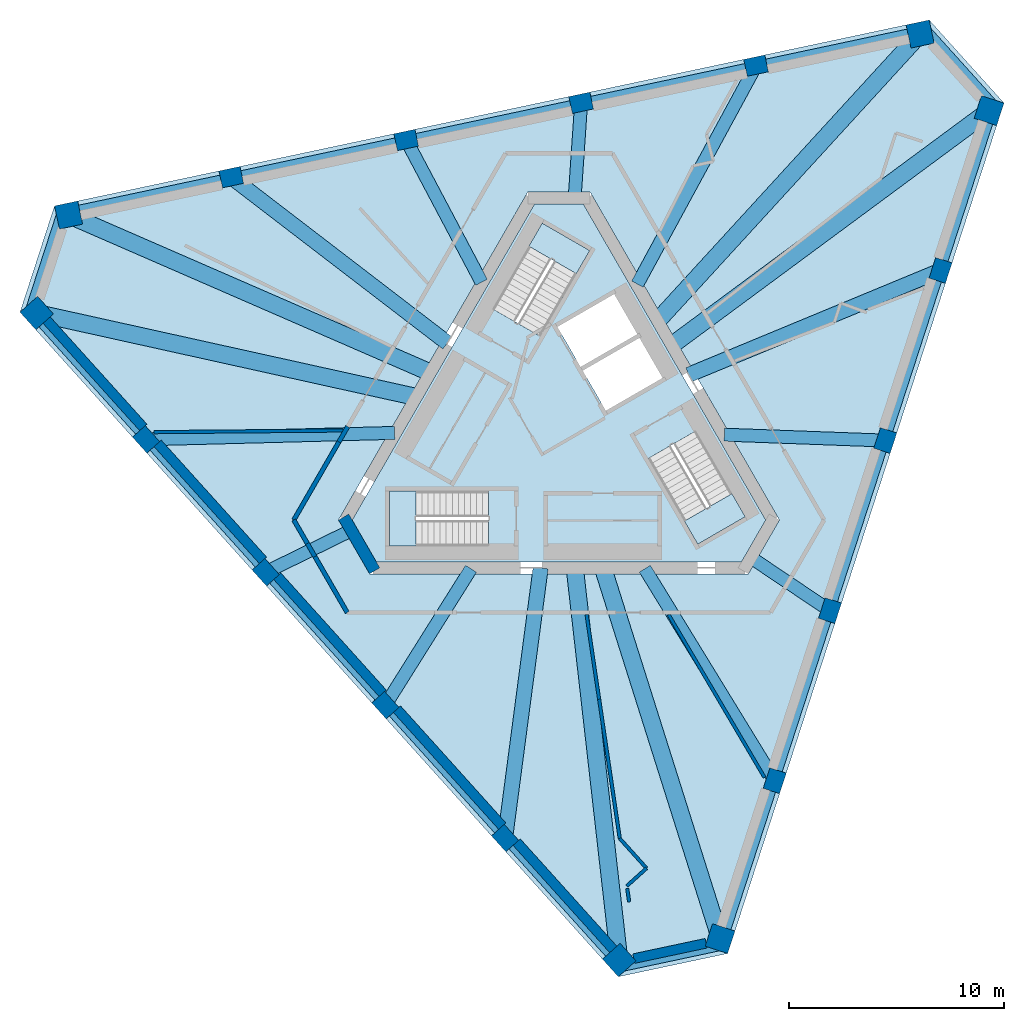
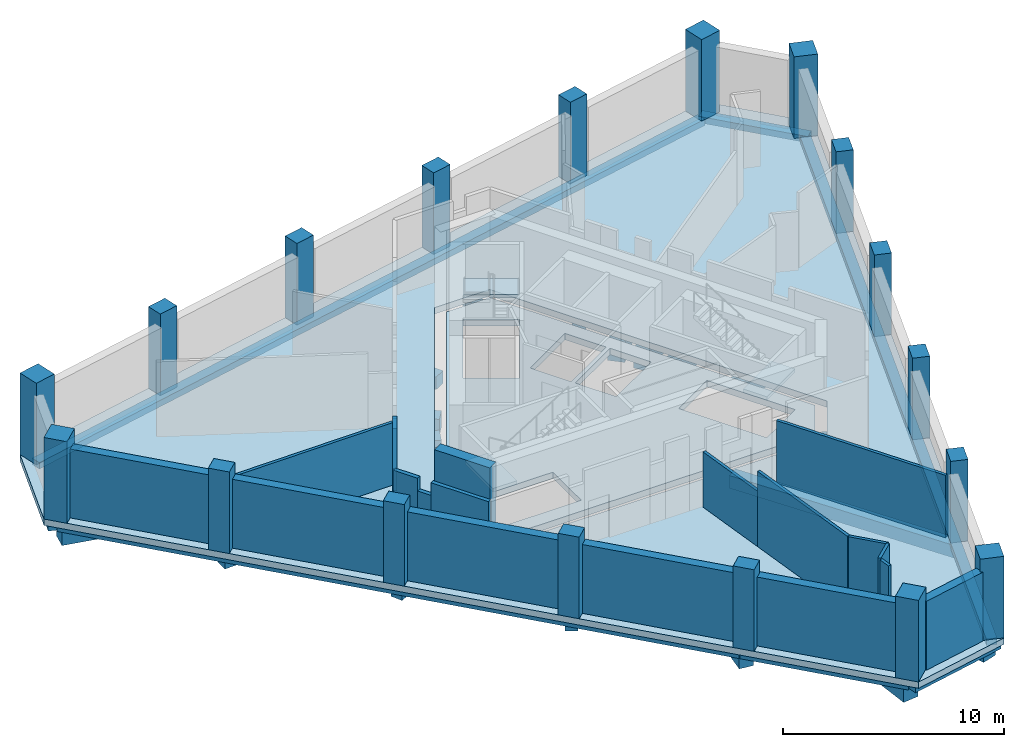
# One storey, part 1 of 5: 24 beams, 19 walls, 18 columns, 5 slabs, 3 elements without a shape of their own.
"""IFC4 building model written with IfcOpenShell, lengths in metres."""

from ifc_helpers import new_model, si_unit, direction, frame, frame_2d, origin, origin_2d, place, context, subcontext, project, spatial, polyline, rectangle, outline, extrude, material, layer, layer_set, material_profile, profile_set, type_object, element, aggregate, save


model = new_model("IFC4")

# Units and contexts
model_context = context("Model", 3, precision=1e-05, world=origin(), true_north=direction((0.0, 1.0)))
body_context = subcontext(model_context, "Body", "Model", "MODEL_VIEW")
ifc_project = project(units=[si_unit("LENGTHUNIT", "METRE"), si_unit("AREAUNIT", "SQUARE_METRE"), si_unit("VOLUMEUNIT", "CUBIC_METRE"), si_unit("PLANEANGLEUNIT", "RADIAN"), si_unit("MASSUNIT", "GRAM", prefix="KILO")], contexts=[model_context])

# Site, building, storey
site_placement = place(None, origin())
site = spatial("IfcSite", under=ifc_project, at=site_placement, CompositionType="ELEMENT")
building_placement = place(site_placement, origin())
building = spatial("IfcBuilding", under=site, at=building_placement, Name="Tramontana Tower", CompositionType="ELEMENT")
storey_placement = place(building_placement, frame((0.0, 0.0, 356.89990234375)))
storey = spatial("IfcBuildingStorey", under=building, at=storey_placement, Name="L82", CompositionType="ELEMENT", Elevation=356.89990234375)

# Columns
ifc_material_1 = material(Name="Concrete 55 MPa", Category="concrete")
ifc_material_profile_1 = material_profile(ifc_material_1, rectangle(XDim=1.10009765625, YDim=1.10009765625, at=origin_2d()), Name="Mega column 1100X1100 55 MPa")
ifc_profile_set_1 = profile_set([ifc_material_profile_1], Name="Concrete 55 MPa")
column_type_1 = type_object("IfcColumnType", Name="Mega column 1100X1100 55 MPa", PredefinedType="COLUMN", material=ifc_profile_set_1)
for number, where, z_axis, x_axis, name in (
    (1, (-24.278076171875, 5.368408203125, 0.0), (0.0, 0.0, 1.0), (0.669130606359, -0.743144825477, 0.0), "Mega column C8K1 L82"),
    (2, (2.80126953125, -24.706298828125, 0.0), (0.0, 0.0, 1.0), (0.669130606359, -0.743144825477, 0.0), "Mega column C8K2 L82"),
    (3, (7.489990234375, -23.70947265625, 0.0), (0.0, 0.0, 1.0), (0.309016994375, 0.951056516295, 0.0), "Mega column C8K3 L82"),
    (4, (19.99560546875, 14.779052734375, 0.0), (0.0, 0.0, 1.0), (0.309016994375, 0.951056516295, 0.0), "Mega column C8K4 L82"),
    (5, (16.7880859375, 18.34130859375, 0.0), (0.0, 0.0, 1.0), (-0.978147600734, -0.207911690818, 0.0), "Mega column C8K5 L82"),
    (6, (-22.796875, 9.92724609375, 0.0), (0.0, 0.0, 1.0), (-0.978147600734, -0.207911690818, 0.0), "Mega column C8K6 L82"),
):
    element("IfcColumn", number, at=place(storey_placement, frame(where, z_axis=z_axis, x_axis=x_axis)), inside=storey, type_object=column_type_1, Name=name, PredefinedType="COLUMN", context=body_context, shape_type="SweptSolid", body=[
        extrude(rectangle(XDim=1.10009765625, YDim=1.10009765625, at=origin_2d()), origin(), (0.0, 0.0, 1.0), 4.5),
    ])
ifc_material_2 = material(Name="Concrete 55 MPa", Category="concrete")
ifc_material_profile_2 = material_profile(ifc_material_2, rectangle(XDim=1.0, YDim=0.800048828125, at=origin_2d()), Name="Pier column 1000X800 55 MPa")
ifc_profile_set_2 = profile_set([ifc_material_profile_2], Name="Concrete 55 MPa")
column_type_2 = type_object("IfcColumnType", Name="Pier column 1000X800 55 MPa", PredefinedType="COLUMN", material=ifc_profile_set_2)
for number, where, z_axis, x_axis, name in (
    (7, (-19.194580078125, -0.501708984375, 0.0), (0.0, 0.0, 1.0), (0.669130606359, -0.743144825477, 0.0), "Pier column C8F01 L82"),
    (8, (-13.63134765625, -6.68017578125, 0.0), (0.0, 0.0, 1.0), (0.669130606359, -0.743144825477, 0.0), "Pier column C8F02 L82"),
    (9, (-8.068359375, -12.8583984375, 0.0), (0.0, 0.0, 1.0), (0.669130606359, -0.743144825477, 0.0), "Pier column C8F03 L82"),
    (10, (-2.50537109375, -19.036865234375, 0.0), (0.0, 0.0, 1.0), (0.669130606359, -0.743144825477, 0.0), "Pier column C8F04 L82"),
    (11, (10.03173828125, -16.3720703125, 0.0), (0.0, 0.0, 1.0), (0.309016994375, 0.951056516295, 0.0), "Pier column C8F05 L82"),
    (12, (12.600830078125, -8.465087890625, 0.0), (0.0, 0.0, 1.0), (0.309016994375, 0.951056516295, 0.0), "Pier column C8F06 L82"),
    (13, (15.169921875, -0.55810546875, 0.0), (0.0, 0.0, 1.0), (0.309016994375, 0.951056516295, 0.0), "Pier column C8F07 L82"),
    (14, (17.739013671875, 7.348876953125, 0.0), (0.0, 0.0, 1.0), (0.309016994375, 0.951056516295, 0.0), "Pier column C8F08 L82"),
    (15, (9.162841796875, 16.873779296875, 0.0), (0.0, 0.0, 1.0), (-0.978147600734, -0.207911690818, 0.0), "Pier column C8F09 L82"),
    (16, (1.030517578125, 15.145263671875, 0.0), (0.0, 0.0, 1.0), (-0.978147600734, -0.207911690818, 0.0), "Pier column C8F10 L82"),
    (17, (-7.1015625, 13.416748046875, 0.0), (0.0, 0.0, 1.0), (-0.978147600734, -0.207911690818, 0.0), "Pier column C8F11 L82"),
    (18, (-15.233642578125, 11.688232421875, 0.0), (0.0, 0.0, 1.0), (-0.978147600734, -0.207911690818, 0.0), "Pier column C8F12 L82"),
):
    element("IfcColumn", number, at=place(storey_placement, frame(where, z_axis=z_axis, x_axis=x_axis)), inside=storey, type_object=column_type_2, Name=name, PredefinedType="COLUMN", context=body_context, shape_type="SweptSolid", body=[
        extrude(rectangle(XDim=1.0, YDim=0.800048828125, at=origin_2d()), origin(), (0.0, 0.0, 1.0), 4.5),
    ])

# Beams
ifc_material_3 = material(Name="Concrete 40 MPa", Category="concrete")
ifc_material_profile_3 = material_profile(ifc_material_3, rectangle(XDim=0.5, YDim=0.35009765625, at=origin_2d()), Name="RC EDGE BEAM 500X350 40 MPa")
ifc_profile_set_3 = profile_set([ifc_material_profile_3], Name="Concrete 40 MPa")
beam_type_1 = type_object("IfcBeamType", Name="RC EDGE BEAM 500X350 40 MPa", PredefinedType="SPANDREL", material=ifc_profile_set_3)
for number, where, z_axis, x_axis, name in (
    (19, (-24.352294921875, 5.301513671875, -0.52490234375), (0.669126699639, -0.743148343086, 0.0), (0.743148343086, 0.669126699639, 0.0), "Spandrel beam S0 L82"),
    (20, (7.5849609375, -23.740478515625, -0.52490234375), (0.309021003975, 0.951055213488, 0.0), (-0.951055213488, 0.309021003975, 0.0), "Spandrel beam S1 L82"),
):
    element("IfcBeam", number, at=place(storey_placement, frame(where, z_axis=z_axis, x_axis=x_axis)), inside=storey, type_object=beam_type_1, Name=name, PredefinedType="SPANDREL", context=body_context, shape_type="SweptSolid", body=[
        extrude(rectangle(XDim=0.5, YDim=0.35009765625, at=origin_2d()), origin(), (0.0, 0.0, 1.0), 40.46923828125),
    ])
beam_1_placement = place(storey_placement, frame((16.767333984375, 18.439208984375, -0.52490234375), z_axis=(-0.978146276815, -0.20791791927, 0.0), x_axis=(0.20791791927, -0.978146276815, 0.0)))
element("IfcBeam", 21, at=beam_1_placement, inside=storey, type_object=beam_type_1, Name="Spandrel beam S2 L82", PredefinedType="SPANDREL", context=body_context, shape_type="SweptSolid", body=[
    extrude(rectangle(XDim=0.5, YDim=0.35009765625, at=origin_2d()), origin(), (0.0, 0.0, 1.0), 40.469482421875),
])
beam_2_placement = place(storey_placement, frame((-23.02099609375, 10.2119140625, -0.52490234375), z_axis=(-0.309015953557, -0.951056854477, 0.0), x_axis=(0.951056854477, -0.309015953557, 0.0)))
element("IfcBeam", 22, at=beam_2_placement, inside=storey, type_object=beam_type_1, Name="Spandrel beam K0 L82", PredefinedType="SPANDREL", context=body_context, shape_type="SweptSolid", body=[
    extrude(rectangle(XDim=0.5, YDim=0.35009765625, at=origin_2d()), origin(), (0.0, 0.0, 1.0), 5.1962890625),
])
for number, where, z_axis, x_axis, name in (
    (23, (2.6669921875, -25.042724609375, -0.52490234375), (0.97814762463, 0.207911578393, 0.0), (-0.207911578393, 0.97814762463, 0.0), "Spandrel beam K1 L82"),
    (24, (20.354248046875, 14.8310546875, -0.52490234375), (-0.66916199362, 0.74311656306, 0.0), (-0.74311656306, -0.66916199362, 0.0), "Spandrel beam K2 L82"),
):
    element("IfcBeam", number, at=place(storey_placement, frame(where, z_axis=z_axis, x_axis=x_axis)), inside=storey, type_object=beam_type_1, Name=name, PredefinedType="SPANDREL", context=body_context, shape_type="SweptSolid", body=[
        extrude(rectangle(XDim=0.5, YDim=0.35009765625, at=origin_2d()), origin(), (0.0, 0.0, 1.0), 5.196044921875),
    ])
ifc_material_4 = material(Name="Concrete 40 MPa", Category="concrete")
ifc_material_profile_4 = material_profile(ifc_material_4, rectangle(XDim=0.60009765625, YDim=0.699951171875, at=origin_2d()), Name="RC GIRDER 600X700 40 MPa")
ifc_profile_set_4 = profile_set([ifc_material_profile_4], Name="Concrete 40 MPa")
beam_type_2 = type_object("IfcBeamType", Name="RC GIRDER 600X700 40 MPa", PredefinedType="BEAM", material=ifc_profile_set_4)
beam_3_placement = place(storey_placement, frame((-19.194580078125, -0.501708984375, -0.699951171875), z_axis=(0.999658682192, 0.026125066864, 0.0), x_axis=(-0.026125066864, 0.999658682192, 0.0)))
element("IfcBeam", 25, at=beam_3_placement, inside=storey, type_object=beam_type_2, Name="Radial girder C8F01 L82", PredefinedType="BEAM", context=body_context, shape_type="SweptSolid", body=[
    extrude(rectangle(XDim=0.60009765625, YDim=0.699951171875, at=origin_2d()), origin(), (0.0, 0.0, 1.0), 11.559814453125),
])
beam_4_placement = place(storey_placement, frame((-13.63134765625, -6.68017578125, -0.699951171875), z_axis=(0.897959158445, 0.440078799496, 0.0), x_axis=(-0.440078799496, 0.897959158445, 0.0)))
element("IfcBeam", 26, at=beam_4_placement, inside=storey, type_object=beam_type_2, Name="Radial girder C8F02 L82", PredefinedType="BEAM", context=body_context, shape_type="SweptSolid", body=[
    extrude(rectangle(XDim=0.60009765625, YDim=0.699951171875, at=origin_2d()), origin(), (0.0, 0.0, 1.0), 4.4296875),
])
beam_5_placement = place(storey_placement, frame((-8.068359375, -12.8583984375, -0.699951171875), z_axis=(0.531504835363, 0.847055257929, 0.0), x_axis=(-0.847055257929, 0.531504835363, 0.0)))
element("IfcBeam", 27, at=beam_5_placement, inside=storey, type_object=beam_type_2, Name="Radial girder C8F03 L82", PredefinedType="BEAM", context=body_context, shape_type="SweptSolid", body=[
    extrude(rectangle(XDim=0.60009765625, YDim=0.699951171875, at=origin_2d()), origin(), (0.0, 0.0, 1.0), 7.486328125),
])
beam_6_placement = place(storey_placement, frame((10.03173828125, -16.3720703125, -0.699951171875), z_axis=(-0.522458548495, 0.852664685034, 0.0), x_axis=(-0.852664685034, -0.522458548495, 0.0)))
element("IfcBeam", 28, at=beam_6_placement, inside=storey, type_object=beam_type_2, Name="Radial girder C8F05 L82", PredefinedType="BEAM", context=body_context, shape_type="SweptSolid", body=[
    extrude(rectangle(XDim=0.60009765625, YDim=0.699951171875, at=origin_2d()), origin(), (0.0, 0.0, 1.0), 11.559814453125),
])
beam_7_placement = place(storey_placement, frame((12.600830078125, -8.465087890625, -0.699951171875), z_axis=(-0.830077902204, 0.557647448011, 0.0), x_axis=(-0.557647448011, -0.830077902204, 0.0)))
element("IfcBeam", 29, at=beam_7_placement, inside=storey, type_object=beam_type_2, Name="Radial girder C8F06 L82", PredefinedType="BEAM", context=body_context, shape_type="SweptSolid", body=[
    extrude(rectangle(XDim=0.60009765625, YDim=0.699951171875, at=origin_2d()), origin(), (0.0, 0.0, 1.0), 4.4296875),
])
beam_8_placement = place(storey_placement, frame((15.169921875, -0.55810546875, -0.699951171875), z_axis=(-0.999324360611, 0.036753534393, 0.0), x_axis=(-0.036753534393, -0.999324360611, 0.0)))
element("IfcBeam", 30, at=beam_8_placement, inside=storey, type_object=beam_type_2, Name="Radial girder C8F07 L82", PredefinedType="BEAM", context=body_context, shape_type="SweptSolid", body=[
    extrude(rectangle(XDim=0.60009765625, YDim=0.699951171875, at=origin_2d()), origin(), (0.0, 0.0, 1.0), 7.486328125),
])
beam_9_placement = place(storey_placement, frame((9.16259765625, 16.873779296875, -0.699951171875), z_axis=(-0.477185075818, -0.87880282397, 0.0), x_axis=(0.87880282397, -0.477185075818, 0.0)))
element("IfcBeam", 31, at=beam_9_placement, inside=storey, type_object=beam_type_2, Name="Radial girder C8F09 L82", PredefinedType="BEAM", context=body_context, shape_type="SweptSolid", body=[
    extrude(rectangle(XDim=0.60009765625, YDim=0.699951171875, at=origin_2d()), origin(), (0.0, 0.0, 1.0), 11.559814453125),
])
beam_10_placement = place(storey_placement, frame((1.030517578125, 15.145263671875, -0.699951171875), z_axis=(-0.067897965918, -0.997692270304, 0.0), x_axis=(0.997692270304, -0.067897965918, 0.0)))
element("IfcBeam", 32, at=beam_10_placement, inside=storey, type_object=beam_type_2, Name="Radial girder C8F10 L82", PredefinedType="BEAM", context=body_context, shape_type="SweptSolid", body=[
    extrude(rectangle(XDim=0.60009765625, YDim=0.699951171875, at=origin_2d()), origin(), (0.0, 0.0, 1.0), 4.429931640625),
])
beam_11_placement = place(storey_placement, frame((-7.1015625, 13.416748046875, -0.699951171875), z_axis=(0.467808305742, -0.883829954843, 0.0), x_axis=(0.883829954843, 0.467808305742, 0.0)))
element("IfcBeam", 33, at=beam_11_placement, inside=storey, type_object=beam_type_2, Name="Radial girder C8F11 L82", PredefinedType="BEAM", context=body_context, shape_type="SweptSolid", body=[
    extrude(rectangle(XDim=0.60009765625, YDim=0.699951171875, at=origin_2d()), origin(), (0.0, 0.0, 1.0), 7.486328125),
])
ifc_material_5 = material(Name="Concrete 40 MPa", Category="concrete")
ifc_material_profile_5 = material_profile(ifc_material_5, rectangle(XDim=0.699951171875, YDim=0.89990234375, at=origin_2d()), Name="RC GIRDER 700X900 40 MPa")
ifc_profile_set_5 = profile_set([ifc_material_profile_5], Name="Concrete 40 MPa")
beam_type_3 = type_object("IfcBeamType", Name="RC GIRDER 700X900 40 MPa", PredefinedType="BEAM", material=ifc_profile_set_5)
beam_12_placement = place(storey_placement, frame((-2.50537109375, -19.036865234375, -0.7998046875), z_axis=(0.130493398369, 0.991449178214, 0.0), x_axis=(-0.991449178214, 0.130493398369, 0.0)))
element("IfcBeam", 34, at=beam_12_placement, inside=storey, type_object=beam_type_3, Name="Radial girder C8F04 L82", PredefinedType="BEAM", context=body_context, shape_type="SweptSolid", body=[
    extrude(rectangle(XDim=0.699951171875, YDim=0.89990234375, at=origin_2d()), origin(), (0.0, 0.0, 1.0), 12.66796875),
])
beam_13_placement = place(storey_placement, frame((17.739013671875, 7.348876953125, -0.7998046875), z_axis=(-0.923857326556, -0.382737037885, 0.0), x_axis=(0.382737037885, -0.923857326556, 0.0)))
element("IfcBeam", 35, at=beam_13_placement, inside=storey, type_object=beam_type_3, Name="Radial girder C8F08 L82", PredefinedType="BEAM", context=body_context, shape_type="SweptSolid", body=[
    extrude(rectangle(XDim=0.699951171875, YDim=0.89990234375, at=origin_2d()), origin(), (0.0, 0.0, 1.0), 12.667724609375),
])
beam_14_placement = place(storey_placement, frame((-15.23388671875, 11.68798828125, -0.7998046875), z_axis=(0.793386383047, -0.608718364431, 0.0), x_axis=(0.608718364431, 0.793386383047, 0.0)))
element("IfcBeam", 36, at=beam_14_placement, inside=storey, type_object=beam_type_3, Name="Radial girder C8F12 L82", PredefinedType="BEAM", context=body_context, shape_type="SweptSolid", body=[
    extrude(rectangle(XDim=0.699951171875, YDim=0.89990234375, at=origin_2d()), origin(), (0.0, 0.0, 1.0), 12.66796875),
])
ifc_material_6 = material(Name="Concrete 40 MPa", Category="concrete")
ifc_material_profile_6 = material_profile(ifc_material_6, rectangle(XDim=0.800048828125, YDim=1.10009765625, at=origin_2d()), Name="RC GIRDER 800X1100 40 MPa")
ifc_profile_set_6 = profile_set([ifc_material_profile_6], Name="Concrete 40 MPa")
beam_type_4 = type_object("IfcBeamType", Name="RC GIRDER 800X1100 40 MPa", PredefinedType="BEAM", material=ifc_profile_set_6)
beam_15_placement = place(storey_placement, frame((-24.278076171875, 5.368408203125, -0.89990234375), z_axis=(0.976414256624, -0.215905533653, 0.0), x_axis=(0.215905533653, 0.976414256624, 0.0)))
element("IfcBeam", 37, at=beam_15_placement, inside=storey, type_object=beam_type_4, Name="Radial girder C8K1 L82", PredefinedType="BEAM", context=body_context, shape_type="SweptSolid", body=[
    extrude(rectangle(XDim=0.800048828125, YDim=1.10009765625, at=origin_2d()), origin(), (0.0, 0.0, 1.0), 18.060791015625),
])
beam_16_placement = place(storey_placement, frame((2.80126953125, -24.706298828125, -0.89990234375), z_axis=(-0.112660068087, 0.993633588934, 0.0), x_axis=(-0.993633588934, -0.112660068087, 0.0)))
element("IfcBeam", 38, at=beam_16_placement, inside=storey, type_object=beam_type_4, Name="Radial girder C8K2 L82", PredefinedType="BEAM", context=body_context, shape_type="SweptSolid", body=[
    extrude(rectangle(XDim=0.800048828125, YDim=1.10009765625, at=origin_2d()), origin(), (0.0, 0.0, 1.0), 18.34619140625),
])
beam_17_placement = place(storey_placement, frame((7.489990234375, -23.709716796875, -0.89990234375), z_axis=(-0.301228407795, 0.953552015538, 0.0), x_axis=(-0.953552015538, -0.301228407795, 0.0)))
element("IfcBeam", 39, at=beam_17_placement, inside=storey, type_object=beam_type_4, Name="Radial girder C8K3 L82", PredefinedType="BEAM", context=body_context, shape_type="SweptSolid", body=[
    extrude(rectangle(XDim=0.800048828125, YDim=1.10009765625, at=origin_2d()), origin(), (0.0, 0.0, 1.0), 18.060791015625),
])
beam_18_placement = place(storey_placement, frame((19.99560546875, 14.779052734375, -0.89990234375), z_axis=(-0.804178630494, -0.594387693562, 0.0), x_axis=(0.594387693562, -0.804178630494, 0.0)))
element("IfcBeam", 40, at=beam_18_placement, inside=storey, type_object=beam_type_4, Name="Radial girder C8K4 L82", PredefinedType="BEAM", context=body_context, shape_type="SweptSolid", body=[
    extrude(rectangle(XDim=0.800048828125, YDim=1.10009765625, at=origin_2d()), origin(), (0.0, 0.0, 1.0), 18.34619140625),
])
beam_19_placement = place(storey_placement, frame((16.7880859375, 18.34130859375, -0.89990234375), z_axis=(-0.675183941423, -0.737649405371, 0.0), x_axis=(0.737649405371, -0.675183941423, 0.0)))
element("IfcBeam", 41, at=beam_19_placement, inside=storey, type_object=beam_type_4, Name="Radial girder C8K5 L82", PredefinedType="BEAM", context=body_context, shape_type="SweptSolid", body=[
    extrude(rectangle(XDim=0.800048828125, YDim=1.10009765625, at=origin_2d()), origin(), (0.0, 0.0, 1.0), 18.060791015625),
])
beam_20_placement = place(storey_placement, frame((-22.796875, 9.92724609375, -0.89990234375), z_axis=(0.916837391717, -0.399260813441, 0.0), x_axis=(0.399260813441, 0.916837391717, 0.0)))
element("IfcBeam", 42, at=beam_20_placement, inside=storey, type_object=beam_type_4, Name="Radial girder C8K6 L82", PredefinedType="BEAM", context=body_context, shape_type="SweptSolid", body=[
    extrude(rectangle(XDim=0.800048828125, YDim=1.10009765625, at=origin_2d()), origin(), (0.0, 0.0, 1.0), 18.34619140625),
])

# Slabs
ifc_material_7 = material(Name="Concrete 40 MPa", Category="concrete")
ifc_layer_1 = layer(ifc_material_7, 0.35009765625)
ifc_layer_set_1 = layer_set([ifc_layer_1], Name="PT FLAT SLAB 350 40 MPa")
slab_type_1 = type_object("IfcSlabType", Name="PT FLAT SLAB 350 40 MPa", PredefinedType="FLOOR", material=ifc_layer_set_1)
slab_1_placement = place(storey_placement, frame((0.0, 0.0, -0.349853515625)))
element("IfcSlab", 43, at=slab_1_placement, inside=storey, type_object=slab_type_1, Name="Floor slab L82", PredefinedType="FLOOR", context=body_context, shape_type="SweptSolid", body=[
    extrude(outline(polyline([(20.688720703125, 15.132080078125), (7.843017578125, -24.402587890625), (2.760498046875, -25.48291015625), (-25.0546875, 5.408935546875), (-23.44921875, 10.350830078125), (17.211669921875, 18.99365234375), (20.688720703125, 15.132080078125)]), holes=[polyline([(-10.248046875, -4.25), (-8.8046875, -6.75), (8.8046875, -6.75), (10.248046875, -4.25), (1.443359375, 11.0), (-1.443359375, 11.0), (-10.248046875, -4.25)])]), origin(), (0.0, 0.0, 1.0), 0.349853515625),
])
slab_2_placement = place(storey_placement, frame((0.0, 0.0, -0.349853515625)))
element("IfcSlab", 44, at=slab_2_placement, inside=storey, type_object=slab_type_1, Name="Core floor slab L82", PredefinedType="FLOOR", context=body_context, shape_type="SweptSolid", body=[
    extrude(outline(polyline([(9.61279296875, -4.25), (8.487060546875, -6.199951171875), (-8.487060546875, -6.199951171875), (-9.61279296875, -4.25), (-1.125732421875, 10.449951171875), (1.125732421875, 10.449951171875), (9.61279296875, -4.25)]), holes=[polyline([(6.35986328125, -0.115478515625), (4.151611328125, -1.390625), (6.451416015625, -5.374267578125), (8.659912109375, -4.099365234375), (6.35986328125, -0.115478515625)]), polyline([(1.101806640625, 2.69140625), (2.177001953125, 0.82958984375), (4.90478515625, 2.404541015625), (3.829833984375, 4.2666015625), (1.101806640625, 2.69140625)]), polyline([(2.65478515625, 6.3017578125), (-0.072998046875, 4.726806640625), (1.001953125, 2.86474609375), (3.729736328125, 4.439697265625), (2.65478515625, 6.3017578125)]), polyline([(-0.77978515625, 9.54931640625), (-3.079833984375, 5.565673828125), (-0.87158203125, 4.29052734375), (1.428466796875, 8.2744140625), (-0.77978515625, 9.54931640625)]), polyline([(-3.280029296875, -5.449951171875), (-3.280029296875, -2.89990234375), (-7.8798828125, -2.89990234375), (-7.8798828125, -5.449951171875), (-3.280029296875, -5.449951171875)])]), origin(), (0.0, 0.0, 1.0), 0.349853515625),
])

# Stair, slab
ifc_material_8 = material(Name="Concrete 40 MPa", Category="concrete")
stair_type = type_object("IfcStairType", Name="EXIT STAIR 26 RISERS", PredefinedType="HALF_TURN_STAIR", material=ifc_material_8)
stair_1_placement = place(storey_placement, origin())
stair_1 = element("IfcStair", 45, at=stair_1_placement, inside=storey, type_object=stair_type, Name="L82 Exit stair ST1", PredefinedType="HALF_TURN_STAIR")
ifc_material_9 = material(Name="Concrete 40 MPa", Category="concrete")
ifc_layer_2 = layer(ifc_material_9, 0.199951171875)
ifc_layer_set_2 = layer_set([ifc_layer_2], Name="STAIR LANDING 200")
slab_type_2 = type_object("IfcSlabType", Name="STAIR LANDING 200", PredefinedType="LANDING", material=ifc_layer_set_2)
slab_3_placement = place(storey_placement, frame((0.0, 0.0, 2.050048828125)))
slab_3 = element("IfcSlab", 46, at=slab_3_placement, type_object=slab_type_2, Name="ST1 landing 1", PredefinedType="LANDING", context=body_context, shape_type="SweptSolid", body=[
    extrude(outline(polyline([(0.80859375, 7.200439453125), (1.428466796875, 8.274169921875), (-0.77978515625, 9.54931640625), (-1.39990234375, 8.475341796875), (0.80859375, 7.200439453125)])), origin(), (0.0, 0.0, 1.0), 0.199951171875),
])
aggregate(stair_1, [slab_3])

stair_2_placement = place(storey_placement, origin())
stair_2 = element("IfcStair", 47, at=stair_2_placement, inside=storey, type_object=stair_type, Name="L82 Exit stair ST2", PredefinedType="HALF_TURN_STAIR")
slab_4_placement = place(storey_placement, frame((0.0, 0.0, 2.050048828125)))
slab_4 = element("IfcSlab", 48, at=slab_4_placement, type_object=slab_type_2, Name="ST2 landing 1", PredefinedType="LANDING", context=body_context, shape_type="SweptSolid", body=[
    extrude(outline(polyline([(-6.639892578125, -2.89990234375), (-7.8798828125, -2.89990234375), (-7.8798828125, -5.449951171875), (-6.639892578125, -5.449951171875), (-6.639892578125, -2.89990234375)])), origin(), (0.0, 0.0, 1.0), 0.199951171875),
])
aggregate(stair_2, [slab_4])

stair_3_placement = place(storey_placement, origin())
stair_3 = element("IfcStair", 49, at=stair_3_placement, inside=storey, type_object=stair_type, Name="L82 Exit stair ST3", PredefinedType="HALF_TURN_STAIR")
slab_5_placement = place(storey_placement, frame((0.0, 0.0, 2.050048828125)))
slab_5 = element("IfcSlab", 50, at=slab_5_placement, type_object=slab_type_2, Name="ST3 landing 1", PredefinedType="LANDING", context=body_context, shape_type="SweptSolid", body=[
    extrude(outline(polyline([(5.83154296875, -4.30029296875), (6.451416015625, -5.374267578125), (8.659912109375, -4.099365234375), (8.039794921875, -3.025390625), (5.83154296875, -4.30029296875)])), origin(), (0.0, 0.0, 1.0), 0.199951171875),
])
aggregate(stair_3, [slab_5])

# Walls
ifc_material_10 = material(Name="Concrete 70 MPa", Category="concrete")
ifc_layer_3 = layer(ifc_material_10, 0.550048828125)
ifc_layer_set_3 = layer_set([ifc_layer_3], Name="Core wall 550 70 MPa")
wall_type_1 = type_object("IfcWallType", Name="Core wall 550 70 MPa", PredefinedType="SHEAR", material=ifc_layer_set_3)
wall_1_placement = place(storey_placement, frame((-10.009765625, -4.112548828125, 0.0), z_axis=(0.0, 0.0, 1.0), x_axis=(0.499995765644, -0.866027848477, 0.0)))
element("IfcWall", 51, at=wall_1_placement, inside=storey, type_object=wall_type_1, Name="Core wall C2 L82", PredefinedType="SHEAR", context=body_context, shape_type="SweptSolid", body=[
    extrude(rectangle(XDim=2.88671875, YDim=0.550048828125, at=frame_2d((1.443359375, 0.0))), origin(), (0.0, 0.0, 1.0), 4.5),
])
ifc_material_11 = material(Name="Blockwork", Category="masonry")
ifc_layer_4 = layer(ifc_material_11, 0.199951171875)
ifc_layer_set_4 = layer_set([ifc_layer_4], Name="ENTRY WALL 200")
wall_type_2 = type_object("IfcWallType", Name="ENTRY WALL 200", PredefinedType="SOLIDWALL", material=ifc_layer_set_4)
wall_2_placement = place(storey_placement, frame((-9.84375, -8.550048828125, 0.0), z_axis=(0.0, 0.0, 1.0), x_axis=(-0.500003959331, 0.866023117852, 0.0)))
element("IfcWall", 52, at=wall_2_placement, inside=storey, type_object=wall_type_2, Name="Wall ew2-0", PredefinedType="SOLIDWALL", context=body_context, shape_type="SweptSolid", body=[
    extrude(rectangle(XDim=3.0029296875, YDim=0.199951171875, at=frame_2d((1.50146484375, 0.0))), origin(), (0.0, 0.0, 1.0), 4.150146484375),
])
wall_3_placement = place(storey_placement, frame((-11.34521484375, -5.949462890625, 0.0), z_axis=(0.0, 0.0, 1.0), x_axis=(-0.499993523031, 0.866029143232, 0.0)))
element("IfcWall", 53, at=wall_3_placement, inside=storey, type_object=wall_type_2, Name="Wall ew2-1", PredefinedType="SOLIDWALL", context=body_context, shape_type="SweptSolid", body=[
    extrude(rectangle(XDim=0.70166015625, YDim=0.199951171875, at=frame_2d((0.350830078125, 0.0))), origin(), (0.0, 0.0, 1.0), 3.4501953125),
])
wall_4_placement = place(storey_placement, frame((-11.696044921875, -5.341796875, 0.0), z_axis=(0.0, 0.0, 1.0), x_axis=(-0.500013012896, 0.866017890655, 0.0)))
element("IfcWall", 54, at=wall_4_placement, inside=storey, type_object=wall_type_2, Name="Wall ew2-2", PredefinedType="SOLIDWALL", context=body_context, shape_type="SweptSolid", body=[
    extrude(rectangle(XDim=1.2607421875, YDim=0.199951171875, at=frame_2d((0.63037109375, 0.0))), origin(), (0.0, 0.0, 1.0), 4.150146484375),
])
wall_5_placement = place(storey_placement, frame((-12.326416015625, -4.25, 0.0), z_axis=(0.0, 0.0, 1.0), x_axis=(0.499982771656, 0.866035350345, 0.0)))
element("IfcWall", 55, at=wall_5_placement, inside=storey, type_object=wall_type_2, Name="Wall ew3-0", PredefinedType="SOLIDWALL", context=body_context, shape_type="SweptSolid", body=[
    extrude(rectangle(XDim=4.194580078125, YDim=0.199951171875, at=frame_2d((2.09716796875, 0.0))), origin(), (0.0, 0.0, 1.0), 4.150146484375),
])
wall_6_placement = place(storey_placement, frame((-10.229248046875, -0.617431640625, 0.0), z_axis=(0.0, 0.0, 1.0), x_axis=(0.5001686003, 0.865928040471, 0.0)))
element("IfcWall", 56, at=wall_6_placement, inside=storey, type_object=wall_type_2, Name="Wall ew3-1", PredefinedType="SOLIDWALL", context=body_context, shape_type="SweptSolid", body=[
    extrude(rectangle(XDim=0.821044921875, YDim=0.199951171875, at=frame_2d((0.41064453125, 0.0))), origin(), (0.0, 0.0, 1.0), 3.4501953125),
])
ifc_material_12 = material(Name="Precast concrete 60 MPa", Category="concrete")
ifc_layer_5 = layer(ifc_material_12, 0.449951171875)
ifc_layer_set_5 = layer_set([ifc_layer_5], Name="Precast concrete 60 MPa, 450 mm")
wall_type_3 = type_object("IfcWallType", Name="EW1 Stone-faced precast wall 450", PredefinedType="SOLIDWALL", material=ifc_layer_set_5)
wall_7_placement = place(storey_placement, frame((-23.817138671875, 5.043212890625, 0.0), z_axis=(0.0, 0.0, 1.0), x_axis=(0.669137493687, -0.743138624041, 0.0)))
element("IfcWall", 57, at=wall_7_placement, inside=storey, type_object=wall_type_3, Name="Stone band wall L82 face 0s 1", PredefinedType="SOLIDWALL", context=body_context, shape_type="SweptSolid", body=[
    extrude(rectangle(XDim=6.7138671875, YDim=0.449951171875, at=frame_2d((3.35693359375, 0.0))), origin(), (0.0, 0.0, 1.0), 3.800048828125),
])
wall_8_placement = place(storey_placement, frame((-18.655517578125, -0.689208984375, 0.0), z_axis=(0.0, 0.0, 1.0), x_axis=(0.669117789535, -0.743156365598, 0.0)))
element("IfcWall", 58, at=wall_8_placement, inside=storey, type_object=wall_type_3, Name="Stone band wall L82 face 0s 2", PredefinedType="SOLIDWALL", context=body_context, shape_type="SweptSolid", body=[
    extrude(rectangle(XDim=7.313720703125, YDim=0.449951171875, at=frame_2d((3.65673828125, 0.0))), origin(), (0.0, 0.0, 1.0), 3.800048828125),
])
wall_9_placement = place(storey_placement, frame((-13.092529296875, -6.86767578125, 0.0), z_axis=(0.0, 0.0, 1.0), x_axis=(0.669136224502, -0.74313976684, 0.0)))
element("IfcWall", 59, at=wall_9_placement, inside=storey, type_object=wall_type_3, Name="Stone band wall L82 face 0s 3", PredefinedType="SOLIDWALL", context=body_context, shape_type="SweptSolid", body=[
    extrude(rectangle(XDim=7.31396484375, YDim=0.449951171875, at=frame_2d((3.656982421875, 0.0))), origin(), (0.0, 0.0, 1.0), 3.800048828125),
])
wall_10_placement = place(storey_placement, frame((-7.529541015625, -13.046142578125, 0.0), z_axis=(0.0, 0.0, 1.0), x_axis=(0.669152823362, -0.743124820597, 0.0)))
element("IfcWall", 60, at=wall_10_placement, inside=storey, type_object=wall_type_3, Name="Stone band wall L82 face 0s 4", PredefinedType="SOLIDWALL", context=body_context, shape_type="SweptSolid", body=[
    extrude(rectangle(XDim=7.313720703125, YDim=0.449951171875, at=frame_2d((3.65673828125, 0.0))), origin(), (0.0, 0.0, 1.0), 3.800048828125),
])
wall_11_placement = place(storey_placement, frame((-1.96630859375, -19.224365234375, 0.0), z_axis=(0.0, 0.0, 1.0), x_axis=(0.66911941145, -0.743154905266, 0.0)))
element("IfcWall", 61, at=wall_11_placement, inside=storey, type_object=wall_type_3, Name="Stone band wall L82 face 0s 5", PredefinedType="SOLIDWALL", context=body_context, shape_type="SweptSolid", body=[
    extrude(rectangle(XDim=6.7138671875, YDim=0.449951171875, at=frame_2d((3.35693359375, 0.0))), origin(), (0.0, 0.0, 1.0), 3.800048828125),
])
wall_12_placement = place(storey_placement, frame((3.4814453125, -24.6396484375, 0.0), z_axis=(0.0, 0.0, 1.0), x_axis=(0.978139158523, 0.207951404333, 0.0)))
element("IfcWall", 62, at=wall_12_placement, inside=storey, type_object=wall_type_3, Name="Stone band wall L82 face 1k 1", PredefinedType="SOLIDWALL", context=body_context, shape_type="SweptSolid", body=[
    extrude(rectangle(XDim=3.435302734375, YDim=0.449951171875, at=frame_2d((1.7177734375, 0.0))), origin(), (0.0, 0.0, 1.0), 3.800048828125),
])
ifc_material_13 = material(Name="Gypsum board partition")
ifc_layer_6 = layer(ifc_material_13, 0.14990234375)
ifc_layer_set_6 = layer_set([ifc_layer_6], Name="PARTITION 150")
wall_type_4 = type_object("IfcWallType", Name="PARTITION 150", PredefinedType="PARTITIONING", material=ifc_layer_set_6)
wall_13_placement = place(storey_placement, frame((-10.039794921875, -0.089111328125, 0.0), z_axis=(0.0, 0.0, 1.0), x_axis=(-0.999960441248, -0.00889471414, 0.0)))
element("IfcWall", 63, at=wall_13_placement, inside=storey, type_object=wall_type_4, Name="Wall fw-pw01-0", PredefinedType="PARTITIONING", context=body_context, shape_type="SweptSolid", body=[
    extrude(rectangle(XDim=8.783203125, YDim=0.14990234375, at=frame_2d((4.3916015625, 0.0))), origin(), (0.0, 0.0, 1.0), 3.4501953125),
])
wall_14_placement = place(storey_placement, frame((1.283447265625, -8.650146484375, 0.0), z_axis=(0.0, 0.0, 1.0), x_axis=(0.146778002289, -0.98916945871, 0.0)))
element("IfcWall", 64, at=wall_14_placement, inside=storey, type_object=wall_type_4, Name="Wall fw-pw04-0", PredefinedType="PARTITIONING", context=body_context, shape_type="SweptSolid", body=[
    extrude(rectangle(XDim=3.9736328125, YDim=0.14990234375, at=frame_2d((1.98681640625, 0.0))), origin(), (0.0, 0.0, 1.0), 3.050048828125),
])
wall_15_placement = place(storey_placement, frame((1.86669921875, -12.580810546875, 0.0), z_axis=(0.0, 0.0, 1.0), x_axis=(0.146760871061, -0.989172000577, 0.0)))
element("IfcWall", 65, at=wall_15_placement, inside=storey, type_object=wall_type_4, Name="Wall fw-pw04-1", PredefinedType="PARTITIONING", context=body_context, shape_type="SweptSolid", body=[
    extrude(rectangle(XDim=6.5458984375, YDim=0.14990234375, at=frame_2d((3.27294921875, 0.0))), origin(), (0.0, 0.0, 1.0), 4.150146484375),
])
wall_16_placement = place(storey_placement, frame((2.827880859375, -19.056884765625, 0.0), z_axis=(0.0, 0.0, 1.0), x_axis=(0.66910257544, -0.743170063673, 0.0)))
element("IfcWall", 66, at=wall_16_placement, inside=storey, type_object=wall_type_4, Name="Wall fw-pw05", PredefinedType="PARTITIONING", context=body_context, shape_type="SweptSolid", body=[
    extrude(rectangle(XDim=1.859130859375, YDim=0.14990234375, at=frame_2d((0.9296875, 0.0))), origin(), (0.0, 0.0, 1.0), 4.150146484375),
])
wall_17_placement = place(storey_placement, frame((3.172607421875, -21.382568359375, 0.0), z_axis=(0.0, 0.0, 1.0), x_axis=(0.146986678694, -0.989138471745, 0.0)))
element("IfcWall", 67, at=wall_17_placement, inside=storey, type_object=wall_type_4, Name="Wall fw-pw06", PredefinedType="PARTITIONING", context=body_context, shape_type="SweptSolid", body=[
    extrude(rectangle(XDim=0.626220703125, YDim=0.14990234375, at=frame_2d((0.31298828125, 0.0))), origin(), (0.0, 0.0, 1.0), 4.150146484375),
])
wall_18_placement = place(storey_placement, frame((4.07177734375, -20.4384765625, 0.0), z_axis=(0.0, 0.0, 1.0), x_axis=(-0.74317594648, -0.669096041367, 0.0)))
element("IfcWall", 68, at=wall_18_placement, inside=storey, type_object=wall_type_4, Name="Wall fw-pw07", PredefinedType="PARTITIONING", context=body_context, shape_type="SweptSolid", body=[
    extrude(rectangle(XDim=1.232666015625, YDim=0.14990234375, at=frame_2d((0.6162109375, 0.0))), origin(), (0.0, 0.0, 1.0), 4.150146484375),
])
wall_19_placement = place(storey_placement, frame((5.09716796875, -8.650146484375, 0.0), z_axis=(0.0, 0.0, 1.0), x_axis=(0.507661360347, -0.861556697618, 0.0)))
element("IfcWall", 69, at=wall_19_placement, inside=storey, type_object=wall_type_4, Name="Wall fw-pw09-0", PredefinedType="PARTITIONING", context=body_context, shape_type="SweptSolid", body=[
    extrude(rectangle(XDim=8.783447265625, YDim=0.14990234375, at=frame_2d((4.3916015625, 0.0))), origin(), (0.0, 0.0, 1.0), 3.4501953125),
])

save(model, "model.ifc")
